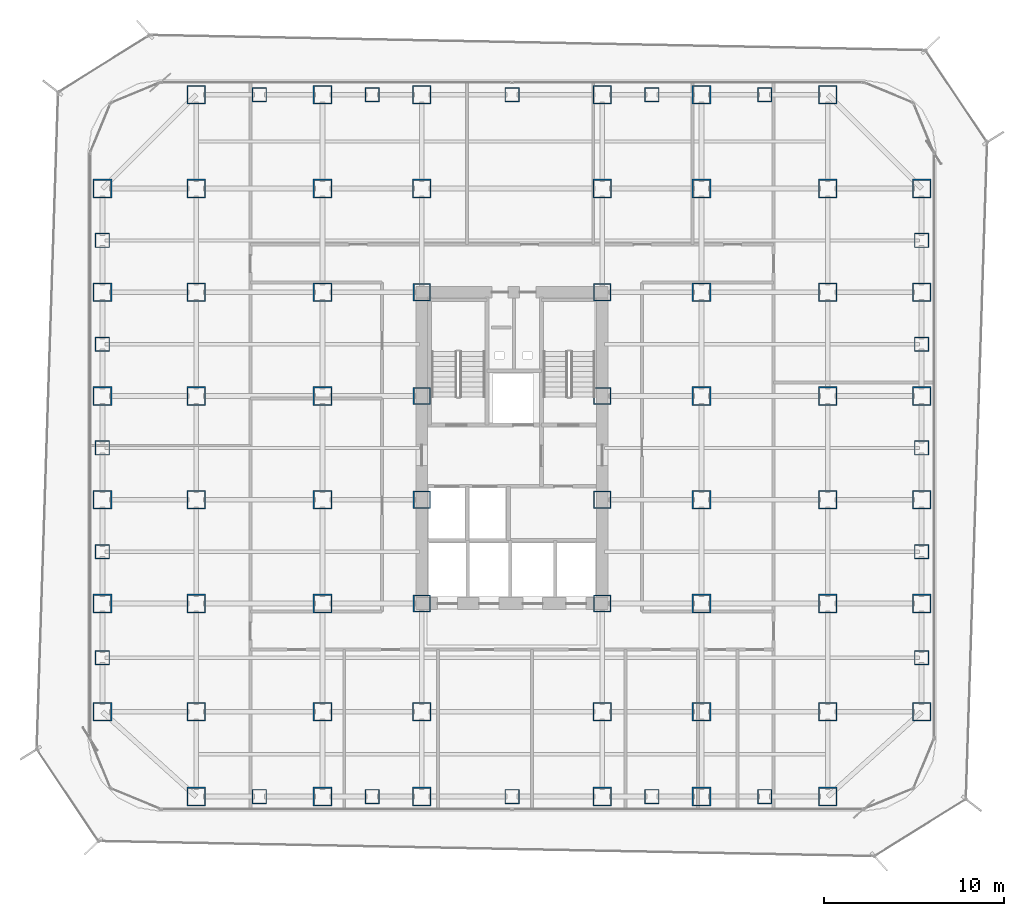
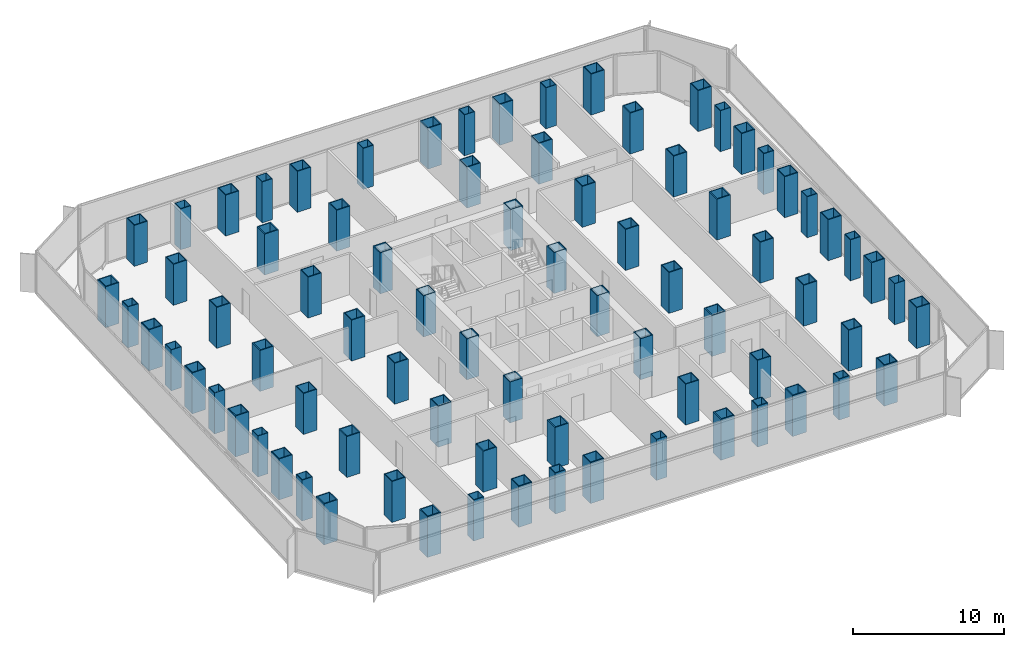
# One storey, part 1 of 22: 80 columns.
"""IFC4 building model written with IfcOpenShell, lengths in metres."""

from ifc_helpers import new_model, si_unit, direction, frame, origin, origin_2d, place, context, subcontext, project, spatial, hollow_rectangle, extrude, source, transform, mapped, material, material_profile, profile_set, type_object, element, save


model = new_model("IFC4")

# Units and contexts
model_context = context("Model", 3, precision=1e-05, world=origin(), true_north=direction((0.0, 1.0)))
body_context = subcontext(model_context, "Body", "Model", "MODEL_VIEW")
ifc_project = project(units=[si_unit("LENGTHUNIT", "METRE"), si_unit("AREAUNIT", "SQUARE_METRE"), si_unit("VOLUMEUNIT", "CUBIC_METRE"), si_unit("PLANEANGLEUNIT", "RADIAN"), si_unit("MASSUNIT", "GRAM", prefix="KILO")], contexts=[model_context])

# Site, building, storey
site_placement = place(None, origin())
site = spatial("IfcSite", under=ifc_project, at=site_placement, CompositionType="ELEMENT")
building_placement = place(site_placement, origin())
building = spatial("IfcBuilding", under=site, at=building_placement, Name="Kolveth Station Tower", CompositionType="ELEMENT")
storey_placement = place(building_placement, frame((0.0, 0.0, 51.300048828125)))
storey = spatial("IfcBuildingStorey", under=building, at=storey_placement, Name="L13", CompositionType="ELEMENT", Elevation=51.300048828125)

# Columns
ifc_material_1 = material(Name="Steel S460", Category="steel")
ifc_material_profile_1 = material_profile(ifc_material_1, hollow_rectangle(XDim=1.0400390625, YDim=1.0400390625, WallThickness=0.06494140625, at=origin_2d()), Name="BOX1040x1040x65")
ifc_profile_set_1 = profile_set([ifc_material_profile_1], Name="Steel S460")
column_type_1 = type_object("IfcColumnType", Name="Col_C2", PredefinedType="COLUMN", material=ifc_profile_set_1)
shared_shape_1 = source(origin(), body_context, "Body", "SweptSolid", [
    extrude(hollow_rectangle(XDim=1.0400390625, YDim=1.0400390625, WallThickness=0.06494140625, at=origin_2d()), origin(), (0.0, 0.0, 1.0), 3.320068359375),
])
for number, where, z_axis, x_axis, name in (
    (1, (6.0, 0.800048828125, 0.0), (0.0, 0.0, 1.0), (1.0, 0.0, 0.0), "L13 Tower Column S-X60"),
    (2, (6.0, 39.699951171875, 0.0), (0.0, 0.0, 1.0), (1.0, 0.0, 0.0), "L13 Tower Column N-X60"),
    (3, (13.0, 0.800048828125, 0.0), (0.0, 0.0, 1.0), (1.0, 0.0, 0.0), "L13 Tower Column S-X130"),
    (4, (13.0, 39.699951171875, 0.0), (0.0, 0.0, 1.0), (1.0, 0.0, 0.0), "L13 Tower Column N-X130"),
    (5, (18.5, 0.800048828125, 0.0), (0.0, 0.0, 1.0), (1.0, 0.0, 0.0), "L13 Tower Column S-X185"),
    (6, (18.5, 39.699951171875, 0.0), (0.0, 0.0, 1.0), (1.0, 0.0, 0.0), "L13 Tower Column N-X185"),
    (7, (28.5, 0.800048828125, 0.0), (0.0, 0.0, 1.0), (1.0, 0.0, 0.0), "L13 Tower Column S-X285"),
    (8, (28.5, 39.699951171875, 0.0), (0.0, 0.0, 1.0), (1.0, 0.0, 0.0), "L13 Tower Column N-X285"),
    (9, (34.0, 0.800048828125, 0.0), (0.0, 0.0, 1.0), (1.0, 0.0, 0.0), "L13 Tower Column S-X340"),
    (10, (34.0, 39.699951171875, 0.0), (0.0, 0.0, 1.0), (1.0, 0.0, 0.0), "L13 Tower Column N-X340"),
    (11, (41.0, 0.800048828125, 0.0), (0.0, 0.0, 1.0), (1.0, 0.0, 0.0), "L13 Tower Column S-X410"),
    (12, (41.0, 39.699951171875, 0.0), (0.0, 0.0, 1.0), (1.0, 0.0, 0.0), "L13 Tower Column N-X410"),
    (13, (0.800048828125, 5.5, 0.0), (0.0, 0.0, 1.0), (1.0, 0.0, 0.0), "L13 Tower Column W-Y55"),
    (14, (46.199951171875, 5.5, 0.0), (0.0, 0.0, 1.0), (1.0, 0.0, 0.0), "L13 Tower Column E-Y55"),
    (15, (0.800048828125, 11.5, 0.0), (0.0, 0.0, 1.0), (1.0, 0.0, 0.0), "L13 Tower Column W-Y115"),
    (16, (46.199951171875, 11.5, 0.0), (0.0, 0.0, 1.0), (1.0, 0.0, 0.0), "L13 Tower Column E-Y115"),
    (17, (0.800048828125, 17.25, 0.0), (0.0, 0.0, 1.0), (1.0, 0.0, 0.0), "L13 Tower Column W-Y172"),
    (18, (46.199951171875, 17.25, 0.0), (0.0, 0.0, 1.0), (1.0, 0.0, 0.0), "L13 Tower Column E-Y172"),
    (19, (0.800048828125, 23.0, 0.0), (0.0, 0.0, 1.0), (1.0, 0.0, 0.0), "L13 Tower Column W-Y230"),
    (20, (46.199951171875, 23.0, 0.0), (0.0, 0.0, 1.0), (1.0, 0.0, 0.0), "L13 Tower Column E-Y230"),
    (21, (0.800048828125, 28.75, 0.0), (0.0, 0.0, 1.0), (1.0, 0.0, 0.0), "L13 Tower Column W-Y287"),
    (22, (46.199951171875, 28.75, 0.0), (0.0, 0.0, 1.0), (1.0, 0.0, 0.0), "L13 Tower Column E-Y287"),
    (23, (0.800048828125, 34.5, 0.0), (0.0, 0.0, 1.0), (1.0, 0.0, 0.0), "L13 Tower Column W-Y345"),
    (24, (46.199951171875, 34.5, 0.0), (0.0, 0.0, 1.0), (1.0, 0.0, 0.0), "L13 Tower Column E-Y345"),
    (25, (6.0, 5.5, 0.0), (0.0, 0.0, 1.0), (1.0, 0.0, 0.0), "L13 Tower Column G-60-55"),
    (26, (6.0, 11.5, 0.0), (0.0, 0.0, 1.0), (1.0, 0.0, 0.0), "L13 Tower Column G-60-115"),
    (27, (6.0, 17.25, 0.0), (0.0, 0.0, 1.0), (1.0, 0.0, 0.0), "L13 Tower Column G-60-172"),
    (28, (6.0, 23.0, 0.0), (0.0, 0.0, 1.0), (1.0, 0.0, 0.0), "L13 Tower Column G-60-230"),
    (29, (6.0, 28.75, 0.0), (0.0, 0.0, 1.0), (1.0, 0.0, 0.0), "L13 Tower Column G-60-287"),
    (30, (6.0, 34.5, 0.0), (0.0, 0.0, 1.0), (1.0, 0.0, 0.0), "L13 Tower Column G-60-345"),
    (31, (13.0, 5.5, 0.0), (0.0, 0.0, 1.0), (1.0, 0.0, 0.0), "L13 Tower Column G-130-55"),
    (32, (13.0, 11.5, 0.0), (0.0, 0.0, 1.0), (1.0, 0.0, 0.0), "L13 Tower Column G-130-115"),
    (33, (13.0, 17.25, 0.0), (0.0, 0.0, 1.0), (1.0, 0.0, 0.0), "L13 Tower Column G-130-172"),
    (34, (13.0, 23.0, 0.0), (0.0, 0.0, 1.0), (1.0, 0.0, 0.0), "L13 Tower Column G-130-230"),
    (35, (13.0, 28.75, 0.0), (0.0, 0.0, 1.0), (1.0, 0.0, 0.0), "L13 Tower Column G-130-287"),
    (36, (13.0, 34.5, 0.0), (0.0, 0.0, 1.0), (1.0, 0.0, 0.0), "L13 Tower Column G-130-345"),
    (37, (18.5, 5.5, 0.0), (0.0, 0.0, 1.0), (1.0, 0.0, 0.0), "L13 Tower Column G-185-55"),
    (38, (18.5, 34.5, 0.0), (0.0, 0.0, 1.0), (1.0, 0.0, 0.0), "L13 Tower Column G-185-345"),
    (39, (28.5, 5.5, 0.0), (0.0, 0.0, 1.0), (1.0, 0.0, 0.0), "L13 Tower Column G-285-55"),
    (40, (28.5, 34.5, 0.0), (0.0, 0.0, 1.0), (1.0, 0.0, 0.0), "L13 Tower Column G-285-345"),
    (41, (34.0, 5.5, 0.0), (0.0, 0.0, 1.0), (1.0, 0.0, 0.0), "L13 Tower Column G-340-55"),
    (42, (34.0, 11.5, 0.0), (0.0, 0.0, 1.0), (1.0, 0.0, 0.0), "L13 Tower Column G-340-115"),
    (43, (34.0, 17.25, 0.0), (0.0, 0.0, 1.0), (1.0, 0.0, 0.0), "L13 Tower Column G-340-172"),
    (44, (34.0, 23.0, 0.0), (0.0, 0.0, 1.0), (1.0, 0.0, 0.0), "L13 Tower Column G-340-230"),
    (45, (34.0, 28.75, 0.0), (0.0, 0.0, 1.0), (1.0, 0.0, 0.0), "L13 Tower Column G-340-287"),
    (46, (34.0, 34.5, 0.0), (0.0, 0.0, 1.0), (1.0, 0.0, 0.0), "L13 Tower Column G-340-345"),
    (47, (41.0, 5.5, 0.0), (0.0, 0.0, 1.0), (1.0, 0.0, 0.0), "L13 Tower Column G-410-55"),
    (48, (41.0, 11.5, 0.0), (0.0, 0.0, 1.0), (1.0, 0.0, 0.0), "L13 Tower Column G-410-115"),
    (49, (41.0, 17.25, 0.0), (0.0, 0.0, 1.0), (1.0, 0.0, 0.0), "L13 Tower Column G-410-172"),
    (50, (41.0, 23.0, 0.0), (0.0, 0.0, 1.0), (1.0, 0.0, 0.0), "L13 Tower Column G-410-230"),
    (51, (41.0, 28.75, 0.0), (0.0, 0.0, 1.0), (1.0, 0.0, 0.0), "L13 Tower Column G-410-287"),
    (52, (41.0, 34.5, 0.0), (0.0, 0.0, 1.0), (1.0, 0.0, 0.0), "L13 Tower Column G-410-345"),
):
    element("IfcColumn", number, at=place(storey_placement, frame(where, z_axis=z_axis, x_axis=x_axis)), inside=storey, type_object=column_type_1, Name=name, PredefinedType="COLUMN", context=body_context, shape_type="MappedRepresentation", body=[
        mapped(shared_shape_1, transform((0.0, 0.0, 0.0), x_axis=(1.0, 0.0, 0.0), y_axis=(0.0, 1.0, 0.0), z_axis=(0.0, 0.0, 1.0), scale=1.0)),
    ])
ifc_material_profile_2 = material_profile(ifc_material_1, hollow_rectangle(XDim=0.9599609375, YDim=0.9599609375, WallThickness=0.06005859375, at=origin_2d()), Name="BOX960x960x60")
ifc_profile_set_2 = profile_set([ifc_material_profile_2], Name="Steel S460")
column_type_2 = type_object("IfcColumnType", Name="Col_C3", PredefinedType="COLUMN", material=ifc_profile_set_2)
shared_shape_2 = source(origin(), body_context, "Body", "SweptSolid", [
    extrude(hollow_rectangle(XDim=0.9599609375, YDim=0.9599609375, WallThickness=0.06005859375, at=origin_2d()), origin(), (0.0, 0.0, 1.0), 3.320068359375),
])
for number, where, z_axis, x_axis, name in (
    (53, (18.5, 11.5, 0.0), (0.0, 0.0, 1.0), (1.0, 0.0, 0.0), "L13 Tower Column G-185-115"),
    (54, (18.5, 17.25, 0.0), (0.0, 0.0, 1.0), (1.0, 0.0, 0.0), "L13 Tower Column G-185-172"),
    (55, (18.5, 23.0, 0.0), (0.0, 0.0, 1.0), (1.0, 0.0, 0.0), "L13 Tower Column G-185-230"),
    (56, (18.5, 28.75, 0.0), (0.0, 0.0, 1.0), (1.0, 0.0, 0.0), "L13 Tower Column G-185-287"),
    (57, (28.5, 11.5, 0.0), (0.0, 0.0, 1.0), (1.0, 0.0, 0.0), "L13 Tower Column G-285-115"),
    (58, (28.5, 17.25, 0.0), (0.0, 0.0, 1.0), (1.0, 0.0, 0.0), "L13 Tower Column G-285-172"),
    (59, (28.5, 23.0, 0.0), (0.0, 0.0, 1.0), (1.0, 0.0, 0.0), "L13 Tower Column G-285-230"),
    (60, (28.5, 28.75, 0.0), (0.0, 0.0, 1.0), (1.0, 0.0, 0.0), "L13 Tower Column G-285-287"),
):
    element("IfcColumn", number, at=place(storey_placement, frame(where, z_axis=z_axis, x_axis=x_axis)), inside=storey, type_object=column_type_2, Name=name, PredefinedType="COLUMN", context=body_context, shape_type="MappedRepresentation", body=[
        mapped(shared_shape_2, transform((0.0, 0.0, 0.0), x_axis=(1.0, 0.0, 0.0), y_axis=(0.0, 1.0, 0.0), z_axis=(0.0, 0.0, 1.0), scale=1.0)),
    ])
ifc_material_2 = material(Name="Steel S355", Category="steel")
ifc_material_profile_3 = material_profile(ifc_material_2, hollow_rectangle(XDim=0.800048828125, YDim=0.800048828125, WallThickness=0.044921875, at=origin_2d()), Name="BOX800x800x45")
ifc_profile_set_3 = profile_set([ifc_material_profile_3], Name="Steel S355")
column_type_3 = type_object("IfcColumnType", Name="Col_C5", PredefinedType="COLUMN", material=ifc_profile_set_3)
shared_shape_3 = source(origin(), body_context, "Body", "SweptSolid", [
    extrude(hollow_rectangle(XDim=0.800048828125, YDim=0.800048828125, WallThickness=0.044921875, at=origin_2d()), origin(), (0.0, 0.0, 1.0), 3.320068359375),
])
for number, where, z_axis, x_axis, name in (
    (61, (9.5, 0.800048828125, 0.0), (0.0, 0.0, 1.0), (1.0, 0.0, 0.0), "L13 Tower Column MS-X95"),
    (62, (9.5, 39.699951171875, 0.0), (0.0, 0.0, 1.0), (1.0, 0.0, 0.0), "L13 Tower Column MN-X95"),
    (63, (15.75, 0.800048828125, 0.0), (0.0, 0.0, 1.0), (1.0, 0.0, 0.0), "L13 Tower Column MS-X157"),
    (64, (15.75, 39.699951171875, 0.0), (0.0, 0.0, 1.0), (1.0, 0.0, 0.0), "L13 Tower Column MN-X157"),
    (65, (23.5, 0.800048828125, 0.0), (0.0, 0.0, 1.0), (1.0, 0.0, 0.0), "L13 Tower Column MS-X235"),
    (66, (23.5, 39.699951171875, 0.0), (0.0, 0.0, 1.0), (1.0, 0.0, 0.0), "L13 Tower Column MN-X235"),
    (67, (31.25, 0.800048828125, 0.0), (0.0, 0.0, 1.0), (1.0, 0.0, 0.0), "L13 Tower Column MS-X312"),
    (68, (31.25, 39.699951171875, 0.0), (0.0, 0.0, 1.0), (1.0, 0.0, 0.0), "L13 Tower Column MN-X312"),
    (69, (37.5, 0.800048828125, 0.0), (0.0, 0.0, 1.0), (1.0, 0.0, 0.0), "L13 Tower Column MS-X375"),
    (70, (37.5, 39.699951171875, 0.0), (0.0, 0.0, 1.0), (1.0, 0.0, 0.0), "L13 Tower Column MN-X375"),
    (71, (0.800048828125, 8.5, 0.0), (0.0, 0.0, 1.0), (1.0, 0.0, 0.0), "L13 Tower Column MW-Y85"),
    (72, (46.199951171875, 8.5, 0.0), (0.0, 0.0, 1.0), (1.0, 0.0, 0.0), "L13 Tower Column ME-Y85"),
    (73, (0.800048828125, 14.375, 0.0), (0.0, 0.0, 1.0), (1.0, 0.0, 0.0), "L13 Tower Column MW-Y143"),
    (74, (46.199951171875, 14.375, 0.0), (0.0, 0.0, 1.0), (1.0, 0.0, 0.0), "L13 Tower Column ME-Y143"),
    (75, (0.800048828125, 20.125, 0.0), (0.0, 0.0, 1.0), (1.0, 0.0, 0.0), "L13 Tower Column MW-Y201"),
    (76, (46.199951171875, 20.125, 0.0), (0.0, 0.0, 1.0), (1.0, 0.0, 0.0), "L13 Tower Column ME-Y201"),
    (77, (0.800048828125, 25.875, 0.0), (0.0, 0.0, 1.0), (1.0, 0.0, 0.0), "L13 Tower Column MW-Y258"),
    (78, (46.199951171875, 25.875, 0.0), (0.0, 0.0, 1.0), (1.0, 0.0, 0.0), "L13 Tower Column ME-Y258"),
    (79, (0.800048828125, 31.625, 0.0), (0.0, 0.0, 1.0), (1.0, 0.0, 0.0), "L13 Tower Column MW-Y316"),
    (80, (46.199951171875, 31.625, 0.0), (0.0, 0.0, 1.0), (1.0, 0.0, 0.0), "L13 Tower Column ME-Y316"),
):
    element("IfcColumn", number, at=place(storey_placement, frame(where, z_axis=z_axis, x_axis=x_axis)), inside=storey, type_object=column_type_3, Name=name, PredefinedType="COLUMN", context=body_context, shape_type="MappedRepresentation", body=[
        mapped(shared_shape_3, transform((0.0, 0.0, 0.0), x_axis=(1.0, 0.0, 0.0), y_axis=(0.0, 1.0, 0.0), z_axis=(0.0, 0.0, 1.0), scale=1.0)),
    ])

save(model, "model.ifc")
